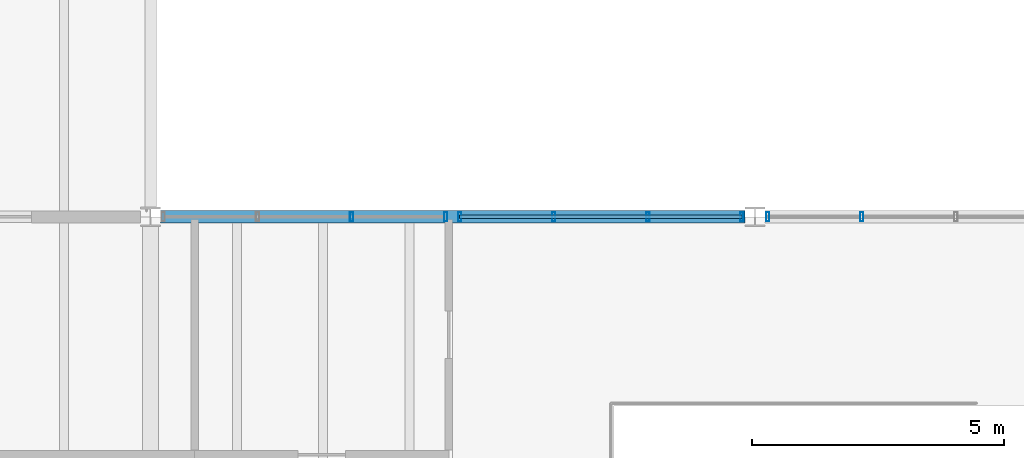
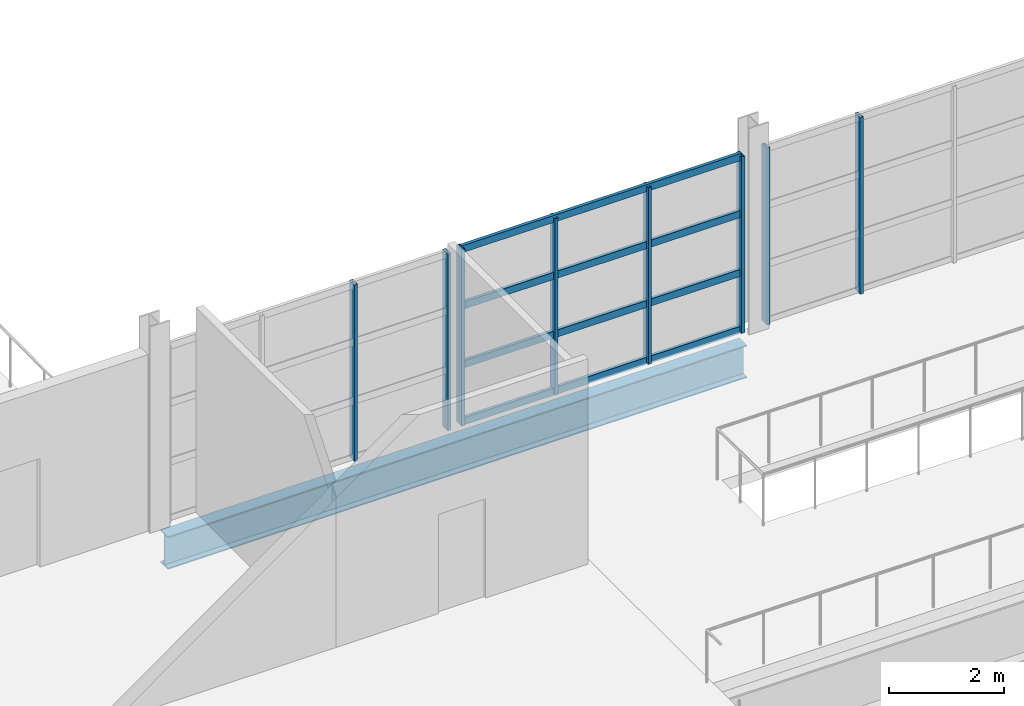
# One storey, part 26 of 78: 12 members, 1 beam, 3 elements without a shape of their own.
"""IFC4 building model written with IfcOpenShell, lengths in metres."""

from ifc_helpers import new_model, si_unit, direction, frame, origin, origin_2d, place, context, subcontext, project, spatial, hollow_rectangle, i_section, extrude, material, material_profile, profile_set, type_object, element, aggregate, save


model = new_model("IFC4")

# Units and contexts
model_context = context("Model", 3, precision=1e-05, world=origin(), true_north=direction((0.0, 1.0)))
body_context = subcontext(model_context, "Body", "Model", "MODEL_VIEW")
ifc_project = project(units=[si_unit("LENGTHUNIT", "METRE"), si_unit("AREAUNIT", "SQUARE_METRE"), si_unit("VOLUMEUNIT", "CUBIC_METRE"), si_unit("PLANEANGLEUNIT", "RADIAN"), si_unit("MASSUNIT", "GRAM", prefix="KILO")], contexts=[model_context])

# Site, building, storey
site_placement = place(None, origin())
site = spatial("IfcSite", under=ifc_project, at=site_placement, CompositionType="ELEMENT")
building_placement = place(site_placement, origin())
building = spatial("IfcBuilding", under=site, at=building_placement, Name="Kelmvaro Bay Concert Hall", CompositionType="ELEMENT")
storey_placement = place(building_placement, frame((0.0, 0.0, 9.300048828125)))
storey = spatial("IfcBuildingStorey", under=building, at=storey_placement, Name="L02", CompositionType="ELEMENT", Elevation=9.300048828125)

# Curtain wall, members
ifc_material_1 = material(Name="Anodised Aluminium and Low-E Insulated Glazing", Category="aluminium")
curtain_wall_type = type_object("IfcCurtainWallType", Name="Upper Salon Waterfront Curtain Wall 4050", PredefinedType="USERDEFINED", material=ifc_material_1)
curtain_wall_1_placement = place(storey_placement, origin())
curtain_wall_1 = element("IfcCurtainWall", 1, at=curtain_wall_1_placement, inside=storey, type_object=curtain_wall_type, Name="Unitised Curtain Wall CW-L02-089", ObjectType="UNITISED GLAZING", PredefinedType="USERDEFINED")
ifc_material_2 = material(Name="Anodised Extruded Aluminium 6063-T6", Category="aluminium")
ifc_material_profile_1 = material_profile(ifc_material_2, hollow_rectangle(XDim=0.06494140625, YDim=0.179931640625, WallThickness=0.00390625, at=origin_2d()), Name="ALU-MUL-180X65")
ifc_profile_set_1 = profile_set([ifc_material_profile_1], Name="Anodised Extruded Aluminium 6063-T6")
member_type_1 = type_object("IfcMemberType", Name="Curtain Mullion ALU 180x65", PredefinedType="MULLION", material=ifc_profile_set_1)
member_1_placement = place(storey_placement, frame((63.991455078125, 39.0, 0.0), z_axis=(0.0, 0.0, 1.0), x_axis=(1.0, 0.0, 0.0)))
member_1 = element("IfcMember", 2, at=member_1_placement, type_object=member_type_1, Name="CW-L02-089 Mullion 03", PredefinedType="MULLION", context=body_context, shape_type="SweptSolid", body=[
    extrude(hollow_rectangle(XDim=0.06494140625, YDim=0.179931640625, WallThickness=0.00390625, at=origin_2d()), origin(), (0.0, 0.0, 1.0), 3.739013671875),
])
member_2_placement = place(storey_placement, frame((65.860107421875, 39.0, 0.0), z_axis=(0.0, 0.0, 1.0), x_axis=(1.0, 0.0, 0.0)))
member_2 = element("IfcMember", 3, at=member_2_placement, type_object=member_type_1, Name="CW-L02-089 Mullion 04", PredefinedType="MULLION", context=body_context, shape_type="SweptSolid", body=[
    extrude(hollow_rectangle(XDim=0.06494140625, YDim=0.179931640625, WallThickness=0.00390625, at=origin_2d()), origin(), (0.0, 0.0, 1.0), 3.739013671875),
])
aggregate(curtain_wall_1, [member_1, member_2])

curtain_wall_2_placement = place(storey_placement, origin())
curtain_wall_2 = element("IfcCurtainWall", 4, at=curtain_wall_2_placement, inside=storey, type_object=curtain_wall_type, Name="Unitised Curtain Wall CW-L02-090", ObjectType="UNITISED GLAZING", PredefinedType="USERDEFINED")
member_3_placement = place(storey_placement, frame((66.139892578125, 39.0, 0.0), z_axis=(0.0, 0.0, 1.0), x_axis=(1.0, 0.0, 0.0)))
member_3 = element("IfcMember", 5, at=member_3_placement, type_object=member_type_1, Name="CW-L02-090 Mullion 01", PredefinedType="MULLION", context=body_context, shape_type="SweptSolid", body=[
    extrude(hollow_rectangle(XDim=0.06494140625, YDim=0.179931640625, WallThickness=0.00390625, at=origin_2d()), origin(), (0.0, 0.0, 1.0), 3.739013671875),
])
member_4_placement = place(storey_placement, frame((68.008544921875, 39.0, 0.0), z_axis=(0.0, 0.0, 1.0), x_axis=(1.0, 0.0, 0.0)))
member_4 = element("IfcMember", 6, at=member_4_placement, type_object=member_type_1, Name="CW-L02-090 Mullion 02", PredefinedType="MULLION", context=body_context, shape_type="SweptSolid", body=[
    extrude(hollow_rectangle(XDim=0.06494140625, YDim=0.179931640625, WallThickness=0.00390625, at=origin_2d()), origin(), (0.0, 0.0, 1.0), 3.739013671875),
])
member_5_placement = place(storey_placement, frame((69.876953125, 39.0, 0.0), z_axis=(0.0, 0.0, 1.0), x_axis=(1.0, 0.0, 0.0)))
member_5 = element("IfcMember", 7, at=member_5_placement, type_object=member_type_1, Name="CW-L02-090 Mullion 03", PredefinedType="MULLION", context=body_context, shape_type="SweptSolid", body=[
    extrude(hollow_rectangle(XDim=0.06494140625, YDim=0.179931640625, WallThickness=0.00390625, at=origin_2d()), origin(), (0.0, 0.0, 1.0), 3.739013671875),
])
member_6_placement = place(storey_placement, frame((71.74560546875, 39.0, 0.0), z_axis=(0.0, 0.0, 1.0), x_axis=(1.0, 0.0, 0.0)))
member_6 = element("IfcMember", 8, at=member_6_placement, type_object=member_type_1, Name="CW-L02-090 Mullion 04", PredefinedType="MULLION", context=body_context, shape_type="SweptSolid", body=[
    extrude(hollow_rectangle(XDim=0.06494140625, YDim=0.179931640625, WallThickness=0.00390625, at=origin_2d()), origin(), (0.0, 0.0, 1.0), 3.739013671875),
])

curtain_wall_3_placement = place(storey_placement, origin())
curtain_wall_3 = element("IfcCurtainWall", 9, at=curtain_wall_3_placement, inside=storey, type_object=curtain_wall_type, Name="Unitised Curtain Wall CW-L02-091", ObjectType="UNITISED GLAZING", PredefinedType="USERDEFINED")
member_7_placement = place(storey_placement, frame((72.25439453125, 39.0, 0.0), z_axis=(0.0, 0.0, 1.0), x_axis=(1.0, 0.0, 0.0)))
member_7 = element("IfcMember", 10, at=member_7_placement, type_object=member_type_1, Name="CW-L02-091 Mullion 01", PredefinedType="MULLION", context=body_context, shape_type="SweptSolid", body=[
    extrude(hollow_rectangle(XDim=0.06494140625, YDim=0.179931640625, WallThickness=0.00390625, at=origin_2d()), origin(), (0.0, 0.0, 1.0), 3.739013671875),
])
member_8_placement = place(storey_placement, frame((74.123046875, 39.0, 0.0), z_axis=(0.0, 0.0, 1.0), x_axis=(1.0, 0.0, 0.0)))
member_8 = element("IfcMember", 11, at=member_8_placement, type_object=member_type_1, Name="CW-L02-091 Mullion 02", PredefinedType="MULLION", context=body_context, shape_type="SweptSolid", body=[
    extrude(hollow_rectangle(XDim=0.06494140625, YDim=0.179931640625, WallThickness=0.00390625, at=origin_2d()), origin(), (0.0, 0.0, 1.0), 3.739013671875),
])
aggregate(curtain_wall_3, [member_7, member_8])

# Member
ifc_material_3 = material(Name="Anodised Extruded Aluminium 6063-T6", Category="aluminium")
ifc_material_profile_2 = material_profile(ifc_material_3, hollow_rectangle(XDim=0.06494140625, YDim=0.14990234375, WallThickness=0.00390625, at=origin_2d()), Name="ALU-TRN-150X65")
ifc_profile_set_2 = profile_set([ifc_material_profile_2], Name="Anodised Extruded Aluminium 6063-T6")
member_type_2 = type_object("IfcMemberType", Name="Curtain Transom ALU 150x65", PredefinedType="USERDEFINED", material=ifc_profile_set_2)
member_9_placement = place(storey_placement, frame((66.139892578125, 39.0, 0.0400390625), z_axis=(1.0, 0.0, 0.0), x_axis=(0.0, 1.0, 0.0)))
member_9 = element("IfcMember", 12, at=member_9_placement, type_object=member_type_2, Name="CW-L02-090 Transom 01", ObjectType="TRANSOM", PredefinedType="USERDEFINED", context=body_context, shape_type="SweptSolid", body=[
    extrude(hollow_rectangle(XDim=0.06494140625, YDim=0.14990234375, WallThickness=0.00390625, at=origin_2d()), origin(), (0.0, 0.0, 1.0), 5.605712890625),
])

member_10_placement = place(storey_placement, frame((66.139892578125, 39.0, 1.246337890625), z_axis=(1.0, 0.0, 0.0), x_axis=(0.0, 1.0, 0.0)))
member_10 = element("IfcMember", 13, at=member_10_placement, type_object=member_type_2, Name="CW-L02-090 Transom 02", ObjectType="TRANSOM", PredefinedType="USERDEFINED", context=body_context, shape_type="SweptSolid", body=[
    extrude(hollow_rectangle(XDim=0.06494140625, YDim=0.14990234375, WallThickness=0.00390625, at=origin_2d()), origin(), (0.0, 0.0, 1.0), 5.605712890625),
])

member_11_placement = place(storey_placement, frame((66.139892578125, 39.0, 2.49267578125), z_axis=(1.0, 0.0, 0.0), x_axis=(0.0, 1.0, 0.0)))
member_11 = element("IfcMember", 14, at=member_11_placement, type_object=member_type_2, Name="CW-L02-090 Transom 03", ObjectType="TRANSOM", PredefinedType="USERDEFINED", context=body_context, shape_type="SweptSolid", body=[
    extrude(hollow_rectangle(XDim=0.06494140625, YDim=0.14990234375, WallThickness=0.00390625, at=origin_2d()), origin(), (0.0, 0.0, 1.0), 5.605712890625),
])

member_12_placement = place(storey_placement, frame((66.139892578125, 39.0, 3.698974609375), z_axis=(1.0, 0.0, 0.0), x_axis=(0.0, 1.0, 0.0)))
member_12 = element("IfcMember", 15, at=member_12_placement, type_object=member_type_2, Name="CW-L02-090 Transom 04", ObjectType="TRANSOM", PredefinedType="USERDEFINED", context=body_context, shape_type="SweptSolid", body=[
    extrude(hollow_rectangle(XDim=0.06494140625, YDim=0.14990234375, WallThickness=0.00390625, at=origin_2d()), origin(), (0.0, 0.0, 1.0), 5.605712890625),
])

aggregate(curtain_wall_2, [member_3, member_4, member_5, member_6, member_9, member_10, member_11, member_12])

# Beam
ifc_material_4 = material(Name="Steel ASTM A992 Grade 50", Category="steel")
ifc_material_profile_3 = material_profile(ifc_material_4, i_section(OverallWidth=0.256103515625, OverallDepth=0.693115234375, WebThickness=0.014404296875, FlangeThickness=0.023681640625, at=origin_2d()), Name="W27X114")
ifc_profile_set_3 = profile_set([ifc_material_profile_3], Name="Steel ASTM A992 Grade 50")
beam_type = type_object("IfcBeamType", Name="Foyer Primary Girder W27x114", PredefinedType="BEAM", material=ifc_profile_set_3)
beam_placement = place(storey_placement, frame((60.199462890625, 39.0, -0.596435546875), z_axis=(1.0, 0.0, 0.0), x_axis=(0.0, 1.0, 0.0)))
element("IfcBeam", 16, at=beam_placement, inside=storey, type_object=beam_type, Name="L02 Girder BM-L02-EW-0726", PredefinedType="BEAM", context=body_context, shape_type="SweptSolid", body=[
    extrude(i_section(OverallWidth=0.256103515625, OverallDepth=0.693115234375, WebThickness=0.014404296875, FlangeThickness=0.023681640625, at=origin_2d()), origin(), (0.0, 0.0, 1.0), 11.60107421875),
])

save(model, "model.ifc")
